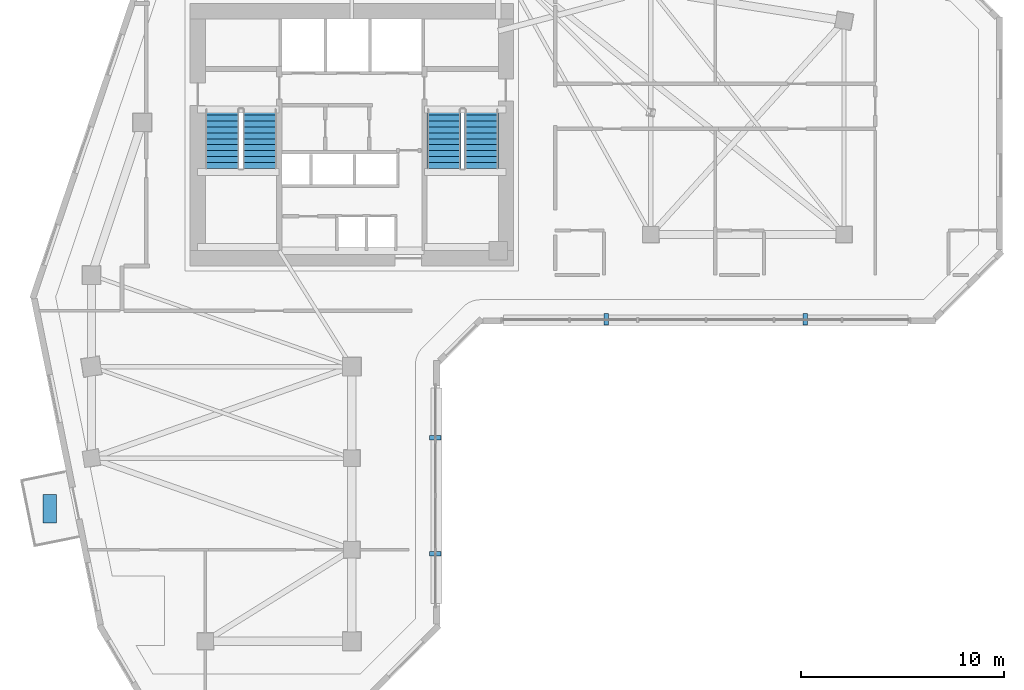
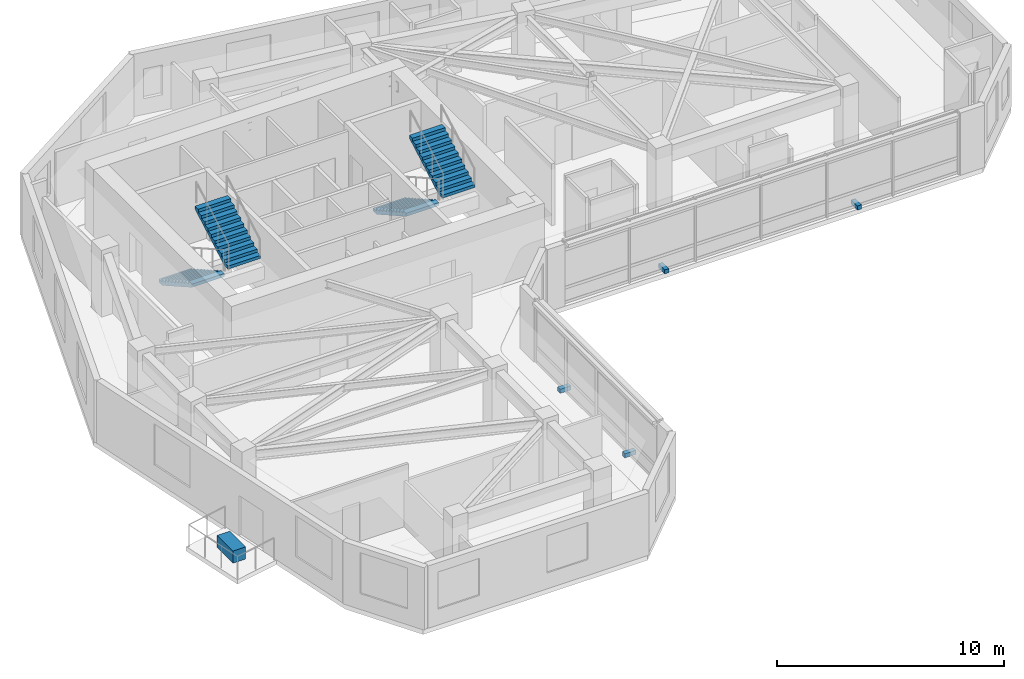
# One storey, part 8 of 11: 5 discrete accessories, 4 stair flights, 2 elements without a shape of their own.
"""IFC4 building model written with IfcOpenShell, lengths in metres."""

from ifc_helpers import new_model, si_unit, direction, frame, origin, origin_2d, place, context, subcontext, project, spatial, polyline, rectangle, outline, extrude, source, transform, mapped, material, type_object, element, aggregate, save


model = new_model("IFC4")

# Units and contexts
model_context = context("Model", 3, precision=1e-05, world=origin(), true_north=direction((0.0, 1.0)))
body_context = subcontext(model_context, "Body", "Model", "MODEL_VIEW")
ifc_project = project(units=[si_unit("LENGTHUNIT", "METRE"), si_unit("AREAUNIT", "SQUARE_METRE"), si_unit("VOLUMEUNIT", "CUBIC_METRE"), si_unit("PLANEANGLEUNIT", "RADIAN"), si_unit("MASSUNIT", "GRAM", prefix="KILO")], contexts=[model_context])

# Site, building, storey
site_placement = place(None, origin())
site = spatial("IfcSite", under=ifc_project, at=site_placement, CompositionType="ELEMENT")
building_placement = place(site_placement, origin())
building = spatial("IfcBuilding", under=site, at=building_placement, Name="Calvemar Wedge Station Tower", CompositionType="ELEMENT")
storey_placement = place(building_placement, frame((0.0, 0.0, 157.39990234375)))
storey = spatial("IfcBuildingStorey", under=building, at=storey_placement, Name="L39", CompositionType="ELEMENT", Elevation=157.39990234375)

# Stair, stair flights
ifc_material_1 = material(Name="Concrete C45", Category="concrete")
stair_type = type_object("IfcStairType", Name="ST-TYPE-3600", PredefinedType="HALF_TURN_STAIR", material=ifc_material_1)
stair_1_placement = place(storey_placement, origin())
stair_1 = element("IfcStair", 1, at=stair_1_placement, inside=storey, type_object=stair_type, Name="L39 Pressurized Core Exit Stair ST-C1", PredefinedType="HALF_TURN_STAIR")
stair_flight_type = type_object("IfcStairFlightType", Name="STF-TYPE-3600", PredefinedType="STRAIGHT", material=ifc_material_1)
stair_flight_1_placement = place(storey_placement, frame((17.429931640625, 41.14990234375, 0.0), z_axis=(0.0, 0.0, 1.0), x_axis=(0.0, -1.0, 0.0)))
stair_flight_1 = element("IfcStairFlight", 2, at=stair_flight_1_placement, type_object=stair_flight_type, Name="ST-C1 flight 1", NumberOfRisers=11, NumberOfTreads=10, PredefinedType="STRAIGHT", RiserHeight=0.163636364, TreadLength=0.29, context=body_context, shape_type="SweptSolid", body=[
    extrude(outline(polyline([(0.0, 0.0), (0.0, 0.16357421875), (0.2900390625, 0.16357421875), (0.2900390625, 0.327392578125), (0.580078125, 0.327392578125), (0.580078125, 0.490966796875), (0.8701171875, 0.490966796875), (0.8701171875, 0.654541015625), (1.159912109375, 0.654541015625), (1.159912109375, 0.818115234375), (1.449951171875, 0.818115234375), (1.449951171875, 0.98193359375), (1.739990234375, 0.98193359375), (1.739990234375, 1.1455078125), (2.030029296875, 1.1455078125), (2.030029296875, 1.30908203125), (2.320068359375, 1.30908203125), (2.320068359375, 1.47265625), (2.610107421875, 1.47265625), (2.610107421875, 1.636474609375), (2.89990234375, 1.636474609375), (2.89990234375, 1.800048828125), (2.89990234375, 1.46435546875), (0.304931640625, 0.0), (0.0, 0.0)])), frame((0.0, 0.830078125, 0.0), z_axis=(0.0, -1.0, 0.0), x_axis=(1.0, 0.0, 0.0)), (0.0, 0.0, 1.0), 1.659912109375),
])
stair_flight_2_placement = place(storey_placement, frame((19.27001953125, 38.25, 1.800048828125), z_axis=(0.0, 0.0, 1.0), x_axis=(0.0, 1.0, 0.0)))
stair_flight_2 = element("IfcStairFlight", 3, at=stair_flight_2_placement, type_object=stair_flight_type, Name="ST-C1 flight 2", NumberOfRisers=11, NumberOfTreads=10, PredefinedType="STRAIGHT", RiserHeight=0.163636364, TreadLength=0.29, context=body_context, shape_type="SweptSolid", body=[
    extrude(outline(polyline([(0.0, 0.0), (0.0, 0.16357421875), (0.2900390625, 0.16357421875), (0.2900390625, 0.327392578125), (0.580078125, 0.327392578125), (0.580078125, 0.490966796875), (0.8701171875, 0.490966796875), (0.8701171875, 0.654541015625), (1.159912109375, 0.654541015625), (1.159912109375, 0.818115234375), (1.449951171875, 0.818115234375), (1.449951171875, 0.98193359375), (1.739990234375, 0.98193359375), (1.739990234375, 1.1455078125), (2.030029296875, 1.1455078125), (2.030029296875, 1.30908203125), (2.320068359375, 1.30908203125), (2.320068359375, 1.47265625), (2.610107421875, 1.47265625), (2.610107421875, 1.636474609375), (2.89990234375, 1.636474609375), (2.89990234375, 1.800048828125), (2.89990234375, 1.46435546875), (0.304931640625, 0.0), (0.0, 0.0)])), frame((0.0, 0.830078125, 0.0), z_axis=(0.0, -1.0, 0.0), x_axis=(1.0, 0.0, 0.0)), (0.0, 0.0, 1.0), 1.659912109375),
])
aggregate(stair_1, [stair_flight_1, stair_flight_2])

stair_2_placement = place(storey_placement, origin())
stair_2 = element("IfcStair", 4, at=stair_2_placement, inside=storey, type_object=stair_type, Name="L39 Pressurized Core Exit Stair ST-C2", PredefinedType="HALF_TURN_STAIR")
stair_flight_3_placement = place(storey_placement, frame((28.330078125, 41.14990234375, 0.0), z_axis=(0.0, 0.0, 1.0), x_axis=(0.0, -1.0, 0.0)))
stair_flight_3 = element("IfcStairFlight", 5, at=stair_flight_3_placement, type_object=stair_flight_type, Name="ST-C2 flight 1", NumberOfRisers=11, NumberOfTreads=10, PredefinedType="STRAIGHT", RiserHeight=0.163636364, TreadLength=0.29, context=body_context, shape_type="SweptSolid", body=[
    extrude(outline(polyline([(0.0, 0.0), (0.0, 0.16357421875), (0.2900390625, 0.16357421875), (0.2900390625, 0.327392578125), (0.580078125, 0.327392578125), (0.580078125, 0.490966796875), (0.8701171875, 0.490966796875), (0.8701171875, 0.654541015625), (1.159912109375, 0.654541015625), (1.159912109375, 0.818115234375), (1.449951171875, 0.818115234375), (1.449951171875, 0.98193359375), (1.739990234375, 0.98193359375), (1.739990234375, 1.1455078125), (2.030029296875, 1.1455078125), (2.030029296875, 1.30908203125), (2.320068359375, 1.30908203125), (2.320068359375, 1.47265625), (2.610107421875, 1.47265625), (2.610107421875, 1.636474609375), (2.89990234375, 1.636474609375), (2.89990234375, 1.800048828125), (2.89990234375, 1.46435546875), (0.304931640625, 0.0), (0.0, 0.0)])), frame((0.0, 0.830078125, 0.0), z_axis=(0.0, -1.0, 0.0), x_axis=(1.0, 0.0, 0.0)), (0.0, 0.0, 1.0), 1.659912109375),
])
stair_flight_4_placement = place(storey_placement, frame((30.169921875, 38.25, 1.800048828125), z_axis=(0.0, 0.0, 1.0), x_axis=(0.0, 1.0, 0.0)))
stair_flight_4 = element("IfcStairFlight", 6, at=stair_flight_4_placement, type_object=stair_flight_type, Name="ST-C2 flight 2", NumberOfRisers=11, NumberOfTreads=10, PredefinedType="STRAIGHT", RiserHeight=0.163636364, TreadLength=0.29, context=body_context, shape_type="SweptSolid", body=[
    extrude(outline(polyline([(0.0, 0.0), (0.0, 0.16357421875), (0.2900390625, 0.16357421875), (0.2900390625, 0.327392578125), (0.580078125, 0.327392578125), (0.580078125, 0.490966796875), (0.8701171875, 0.490966796875), (0.8701171875, 0.654541015625), (1.159912109375, 0.654541015625), (1.159912109375, 0.818115234375), (1.449951171875, 0.818115234375), (1.449951171875, 0.98193359375), (1.739990234375, 0.98193359375), (1.739990234375, 1.1455078125), (2.030029296875, 1.1455078125), (2.030029296875, 1.30908203125), (2.320068359375, 1.30908203125), (2.320068359375, 1.47265625), (2.610107421875, 1.47265625), (2.610107421875, 1.636474609375), (2.89990234375, 1.636474609375), (2.89990234375, 1.800048828125), (2.89990234375, 1.46435546875), (0.304931640625, 0.0), (0.0, 0.0)])), frame((0.0, 0.830078125, 0.0), z_axis=(0.0, -1.0, 0.0), x_axis=(1.0, 0.0, 0.0)), (0.0, 0.0, 1.0), 1.659912109375),
])
aggregate(stair_2, [stair_flight_3, stair_flight_4])

# Discrete accessories
ifc_material_2 = material(Name="Stainless steel AISI 316L", Category="steel")
discrete_accessory_type_1 = type_object("IfcDiscreteAccessoryType", Name="BRK-316L", PredefinedType="BRACKET", material=ifc_material_2)
shared_shape_1 = source(origin(), body_context, "Body", "SweptSolid", [
    extrude(rectangle(XDim=0.219970703125, YDim=0.56005859375, at=origin_2d()), origin(), (0.0, 0.0, 1.0), 0.219970703125),
])
for number, where, z_axis, x_axis, name in (
    (7, (27.89794921875, 19.2998046875, 0.0), (0.0, 0.0, 1.0), (0.0, 1.0, 0.0), "Storey L39 Recessed Facade Stainless Bracket 4.1"),
    (8, (27.89794921875, 25.016357421875, 0.0), (0.0, 0.0, 1.0), (0.0, 1.0, 0.0), "Storey L39 Recessed Facade Stainless Bracket 4.2"),
    (9, (36.302001953125, 30.822021484375, 0.0), (0.0, 0.0, 1.0), (1.0, 0.0, 0.0), "Storey L39 Recessed Facade Stainless Bracket 6.1"),
    (10, (46.101806640625, 30.822021484375, 0.0), (0.0, 0.0, 1.0), (1.0, 0.0, 0.0), "Storey L39 Recessed Facade Stainless Bracket 6.2"),
):
    element("IfcDiscreteAccessory", number, at=place(storey_placement, frame(where, z_axis=z_axis, x_axis=x_axis)), inside=storey, type_object=discrete_accessory_type_1, Name=name, PredefinedType="BRACKET", context=body_context, shape_type="MappedRepresentation", body=[
        mapped(shared_shape_1, transform((0.0, 0.0, 0.0), scale=1.0)),
    ])
ifc_material_3 = material(Name="Precast concrete C45", Category="concrete")
discrete_accessory_type_2 = type_object("IfcDiscreteAccessoryType", Name="ACC-PLANTER", PredefinedType="USERDEFINED", material=ifc_material_3)
shared_shape_2 = source(origin(), body_context, "Body", "SweptSolid", [
    extrude(rectangle(XDim=0.64990234375, YDim=1.39990234375, at=origin_2d()), origin(), (0.0, 0.0, 1.0), 0.64990234375),
])
discrete_accessory_placement = place(storey_placement, frame((8.952880859375, 21.52099609375, 0.000244140625), z_axis=(0.0, 0.0, 1.0), x_axis=(1.0, 0.0, 0.0)))
element("IfcDiscreteAccessory", 11, at=discrete_accessory_placement, inside=storey, type_object=discrete_accessory_type_2, Name="Storey L39 Planted Terrace GFRC Planter", ObjectType="PLANTER", PredefinedType="USERDEFINED", context=body_context, shape_type="MappedRepresentation", body=[
    mapped(shared_shape_2, transform((0.0, 0.0, 0.0), scale=1.0)),
])

save(model, "model.ifc")
